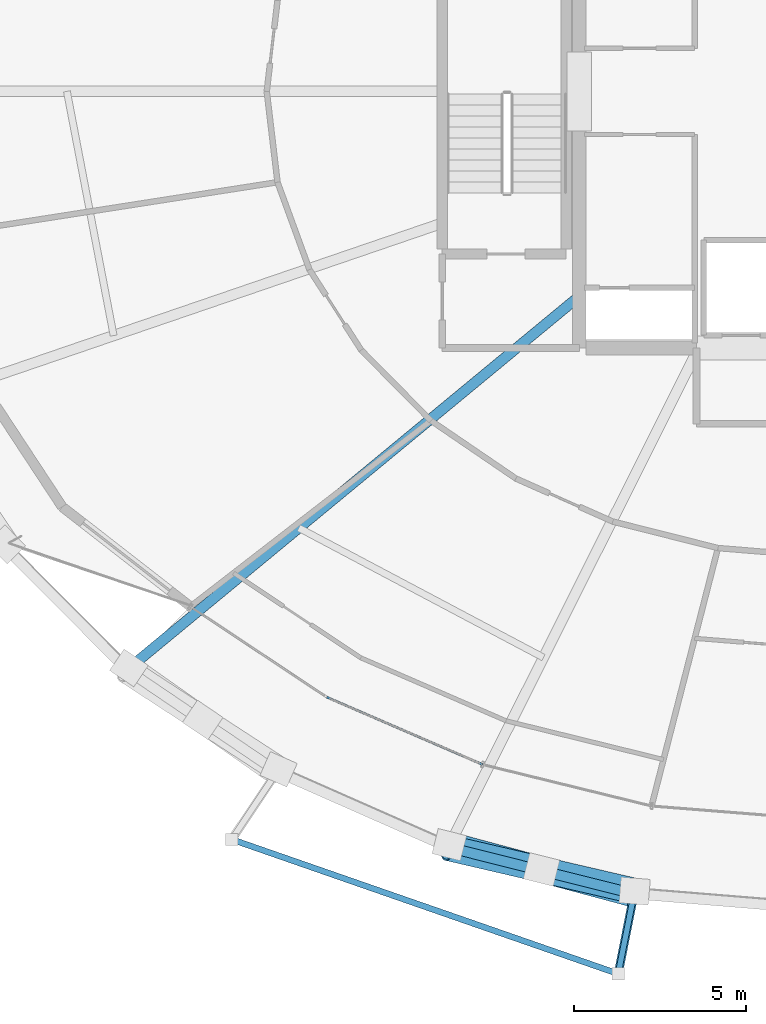
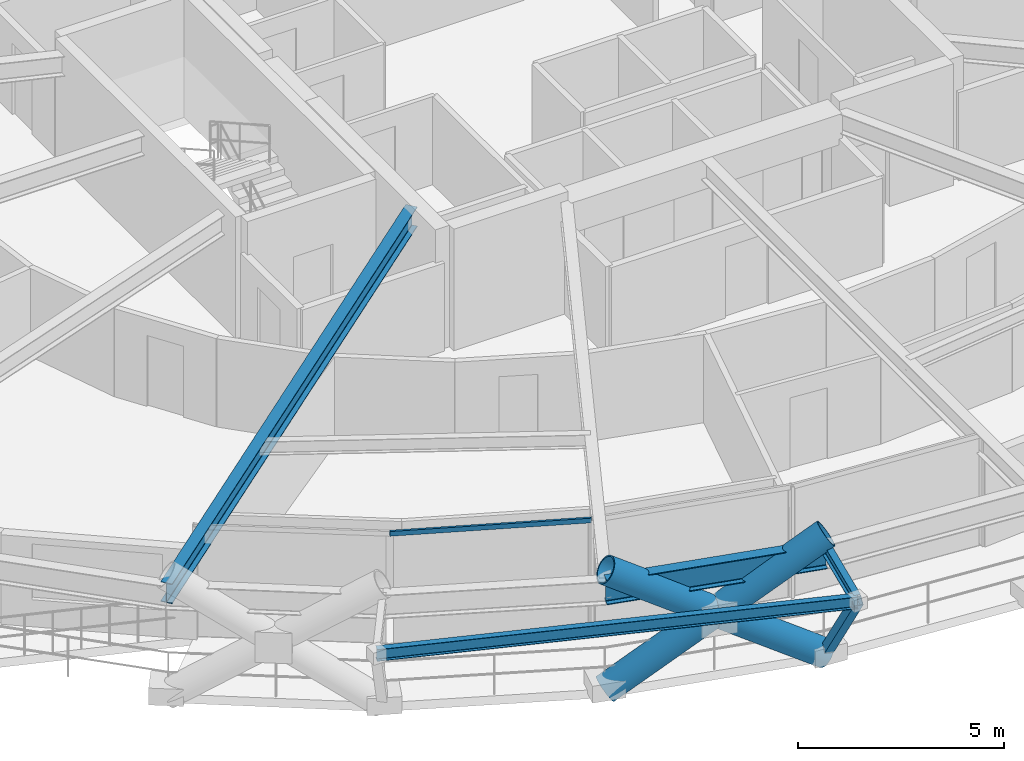
# One storey, part 3 of 21: 5 members, 4 beams, 1 element without a shape of its own.
"""IFC4 building model written with IfcOpenShell, lengths in metres."""

from ifc_helpers import new_model, si_unit, direction, frame, origin, origin_2d, place, context, subcontext, project, spatial, hollow_rectangle, hollow_circle, i_section, extrude, material, layer, layer_set, material_profile, profile_set, type_object, element, aggregate, save


model = new_model("IFC4")

# Units and contexts
model_context = context("Model", 3, precision=1e-05, world=origin(), true_north=direction((0.0, 1.0)))
body_context = subcontext(model_context, "Body", "Model", "MODEL_VIEW")
ifc_project = project(units=[si_unit("LENGTHUNIT", "METRE"), si_unit("AREAUNIT", "SQUARE_METRE"), si_unit("VOLUMEUNIT", "CUBIC_METRE"), si_unit("PLANEANGLEUNIT", "RADIAN"), si_unit("MASSUNIT", "GRAM", prefix="KILO")], contexts=[model_context])

# Site, building, storey
site_placement = place(None, origin())
site = spatial("IfcSite", under=ifc_project, at=site_placement, CompositionType="ELEMENT")
building_placement = place(site_placement, origin())
building = spatial("IfcBuilding", under=site, at=building_placement, Name="Veldorina Hangang Commons", CompositionType="ELEMENT")
storey_placement = place(building_placement, frame((0.0, 0.0, 59.199951171875)))
storey = spatial("IfcBuildingStorey", under=building, at=storey_placement, Name="L14", CompositionType="ELEMENT", Elevation=59.199951171875)

# Beams
ifc_material_1 = material(Name="Steel SM355-TMC", Category="steel")
ifc_material_profile_1 = material_profile(ifc_material_1, i_section(OverallWidth=0.175048828125, OverallDepth=0.35009765625, WebThickness=0.007080078125, FlangeThickness=0.010986328125, FilletRadius=0.012939453125, at=origin_2d()), Name="H-350x175x7x11")
ifc_profile_set_1 = profile_set([ifc_material_profile_1], Name="Steel SM355-TMC")
beam_type_1 = type_object("IfcBeamType", Name="BM-FG350", PredefinedType="BEAM", material=ifc_profile_set_1)
beam_1_placement = place(storey_placement, frame((26.38720703125, 0.6865234375, 3.1650390625), z_axis=(-0.195117031602, -0.980779967158, 0.0), x_axis=(0.980779967158, -0.195117031602, 0.0)))
element("IfcBeam", 1, at=beam_1_placement, inside=storey, type_object=beam_type_1, Name="L15 tree balcony 1 bracket beam B", PredefinedType="BEAM", context=body_context, shape_type="SweptSolid", body=[
    extrude(i_section(OverallWidth=0.175048828125, OverallDepth=0.35009765625, WebThickness=0.007080078125, FlangeThickness=0.010986328125, FilletRadius=0.012939453125, at=origin_2d()), origin(), (0.0, 0.0, 1.0), 2.349853515625),
])
beam_2_placement = place(storey_placement, frame((14.710693359375, 2.281982421875, 3.1650390625), z_axis=(0.944543099742, -0.328387473468, 0.0), x_axis=(0.328387473468, 0.944543099742, 0.0)))
element("IfcBeam", 2, at=beam_2_placement, inside=storey, type_object=beam_type_1, Name="L15 tree balcony 1 outer rim beam", PredefinedType="BEAM", context=body_context, shape_type="SweptSolid", body=[
    extrude(i_section(OverallWidth=0.175048828125, OverallDepth=0.35009765625, WebThickness=0.007080078125, FlangeThickness=0.010986328125, FilletRadius=0.012939453125, at=origin_2d()), origin(), (0.0, 0.0, 1.0), 11.876708984375),
])
ifc_material_2 = material(Name="Steel SM460-TMC", Category="steel")
ifc_material_profile_2 = material_profile(ifc_material_2, i_section(OverallWidth=0.300048828125, OverallDepth=0.587890625, WebThickness=0.011962890625, FlangeThickness=0.02001953125, FilletRadius=0.01806640625, at=origin_2d()), Name="H-588x300x12x20")
ifc_profile_set_2 = profile_set([ifc_material_profile_2], Name="Steel SM460-TMC")
beam_type_2 = type_object("IfcBeamType", Name="BM-FG588", PredefinedType="BEAM", material=ifc_profile_set_2)
beam_3_placement = place(storey_placement, frame((24.800048828125, 18.052001953125, 3.046142578125), z_axis=(-0.770951653904, -0.636893670358, 0.0), x_axis=(0.636893670358, -0.770951653904, 0.0)))
element("IfcBeam", 3, at=beam_3_placement, inside=storey, type_object=beam_type_2, Name="L14 radial floor girder 11", PredefinedType="BEAM", context=body_context, shape_type="SweptSolid", body=[
    extrude(i_section(OverallWidth=0.300048828125, OverallDepth=0.587890625, WebThickness=0.011962890625, FlangeThickness=0.02001953125, FilletRadius=0.01806640625, at=origin_2d()), origin(), (0.0, 0.0, 1.0), 17.033203125),
])
ifc_material_profile_3 = material_profile(ifc_material_2, i_section(OverallWidth=0.300048828125, OverallDepth=0.699951171875, WebThickness=0.012939453125, FlangeThickness=0.02392578125, FilletRadius=0.02197265625, at=origin_2d()), Name="H-700x300x13x24")
ifc_profile_set_3 = profile_set([ifc_material_profile_3], Name="Steel SM460-TMC")
beam_type_3 = type_object("IfcBeamType", Name="BM-RB700", PredefinedType="BEAM", material=ifc_profile_set_3)
beam_4_placement = place(storey_placement, frame((20.99658203125, 2.054443359375, 2.989990234375), z_axis=(0.970010639705, -0.243062458761, 0.0), x_axis=(0.243062458761, 0.970010639705, 0.0)))
element("IfcBeam", 4, at=beam_4_placement, inside=storey, type_object=beam_type_3, Name="L14 perimeter hoop ring beam 22", PredefinedType="BEAM", context=body_context, shape_type="SweptSolid", body=[
    extrude(i_section(OverallWidth=0.300048828125, OverallDepth=0.699951171875, WebThickness=0.012939453125, FlangeThickness=0.02392578125, FilletRadius=0.02197265625, at=origin_2d()), origin(), (0.0, 0.0, 1.0), 5.560546875),
])

# Curtain wall, member
ifc_material_3 = material(Name="Glass Low-E Triple IGU", Category="glass")
ifc_layer = layer(ifc_material_3, 0.179931640625)
ifc_layer_set = layer_set([ifc_layer], Name="Glass Low-E Triple IGU")
curtain_wall_type = type_object("IfcCurtainWallType", Name="CW-SYS-Z1", PredefinedType="NOTDEFINED", material=ifc_layer_set)
curtain_wall_placement = place(storey_placement, origin())
curtain_wall = element("IfcCurtainWall", 5, at=curtain_wall_placement, inside=storey, type_object=curtain_wall_type, Name="L14 unitised curtain wall CW-L14-R1", PredefinedType="NOTDEFINED")
ifc_material_4 = material(Name="Aluminium Anodized AA6063-T6", Category="aluminium")
ifc_material_profile_4 = material_profile(ifc_material_4, hollow_rectangle(XDim=0.06005859375, YDim=0.139892578125, WallThickness=0.00341796875, at=origin_2d()), Name="ALU-RHS-140x60x3.5")
ifc_profile_set_4 = profile_set([ifc_material_profile_4], Name="Aluminium Anodized AA6063-T6")
member_type_1 = type_object("IfcMemberType", Name="CW-TRN-140", PredefinedType="USERDEFINED", material=ifc_profile_set_4)
member_1_placement = place(storey_placement, frame((17.47021484375, 6.412109375, 3.260009765625), z_axis=(0.91790485368, -0.396800553918, 0.0), x_axis=(0.396800553918, 0.91790485368, 0.0)))
member_1 = element("IfcMember", 6, at=member_1_placement, type_object=member_type_1, Name="CW-L14-R1 facet 2 transom 1", ObjectType="TRANSOM", PredefinedType="USERDEFINED", context=body_context, shape_type="SweptSolid", body=[
    extrude(hollow_rectangle(XDim=0.06005859375, YDim=0.139892578125, WallThickness=0.00341796875, at=origin_2d()), origin(), (0.0, 0.0, 1.0), 4.92578125),
])
aggregate(curtain_wall, [member_1])

# Members
ifc_material_profile_5 = material_profile(ifc_material_2, hollow_circle(Radius=0.375, WallThickness=0.035888671875, at=origin_2d()), Name="CHS-750x36")
ifc_profile_set_5 = profile_set([ifc_material_profile_5], Name="Steel SM460-TMC")
member_type_2 = type_object("IfcMemberType", Name="DG-CHS750", PredefinedType="BRACE", material=ifc_profile_set_5)
member_2_placement = place(storey_placement, frame((21.02734375, 2.12939453125, 0.0), z_axis=(0.810143391666, -0.218089981085, 0.54415479883), x_axis=(0.259945080944, 0.965623402209, 0.0)))
element("IfcMember", 7, at=member_2_placement, inside=storey, type_object=member_type_2, Name="L14 continuous perimeter diagrid brace 22", PredefinedType="BRACE", context=body_context, shape_type="SweptSolid", body=[
    extrude(hollow_circle(Radius=0.375, WallThickness=0.035888671875, at=origin_2d()), origin(), (0.0, 0.0, 1.0), 6.615966796875),
])
member_3_placement = place(storey_placement, frame((26.40625, 0.7822265625, 0.0), z_axis=(-0.817725567254, 0.189626084225, 0.543476627686), x_axis=(-0.225900160695, -0.974150459322, 0.0)))
element("IfcMember", 8, at=member_3_placement, inside=storey, type_object=member_type_2, Name="L14 split perimeter diagrid lower brace 23", PredefinedType="BRACE", context=body_context, shape_type="SweptSolid", body=[
    extrude(hollow_circle(Radius=0.375, WallThickness=0.035888671875, at=origin_2d()), origin(), (0.0, 0.0, 1.0), 3.30615234375),
])
member_4_placement = place(storey_placement, frame((23.70263671875, 1.4091796875, 1.796875), z_axis=(-0.817604615265, 0.189940370117, 0.543548846836), x_axis=(-0.226287172988, -0.974060632272, 0.0)))
element("IfcMember", 9, at=member_4_placement, inside=storey, type_object=member_type_2, Name="L14 split perimeter diagrid upper brace 23", PredefinedType="BRACE", context=body_context, shape_type="SweptSolid", body=[
    extrude(hollow_circle(Radius=0.375, WallThickness=0.035888671875, at=origin_2d()), origin(), (0.0, 0.0, 1.0), 3.3173828125),
])
ifc_material_profile_6 = material_profile(ifc_material_1, hollow_rectangle(XDim=0.25, YDim=0.25, WallThickness=0.011962890625, at=origin_2d()), Name="SHS-250x250x12")
ifc_profile_set_6 = profile_set([ifc_material_profile_6], Name="Steel SM355-TMC")
member_type_3 = type_object("IfcMemberType", Name="STR-SHS250", PredefinedType="STRUT", material=ifc_profile_set_6)
member_5_placement = place(storey_placement, frame((26.40625, 0.7822265625, 0.0), z_axis=(-0.119357201114, -0.599959100896, 0.791077073232), x_axis=(0.98077967596, -0.19511849534, 0.0)))
element("IfcMember", 10, at=member_5_placement, inside=storey, type_object=member_type_3, Name="L15 tree balcony 1 raking knee strut B", PredefinedType="STRUT", context=body_context, shape_type="SweptSolid", body=[
    extrude(hollow_rectangle(XDim=0.25, YDim=0.25, WallThickness=0.011962890625, at=origin_2d()), origin(), (0.0, 0.0, 1.0), 4.0009765625),
])

save(model, "model.ifc")
